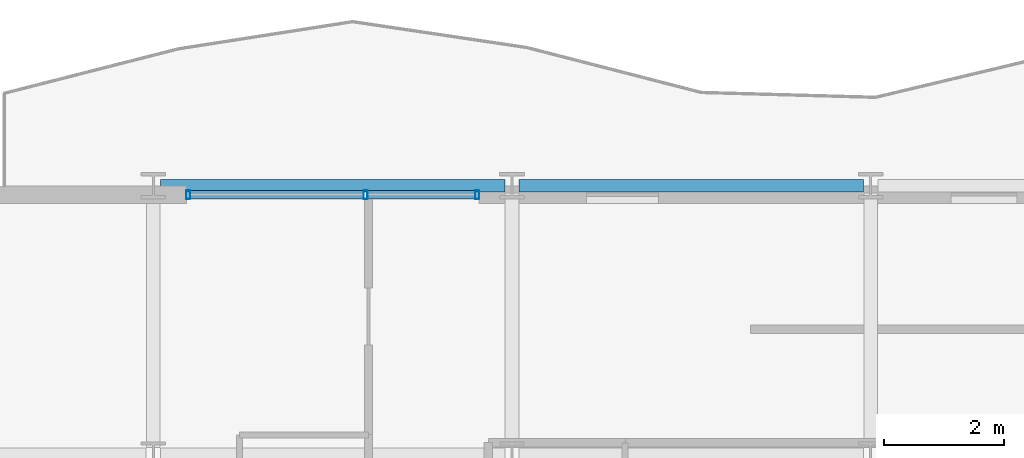
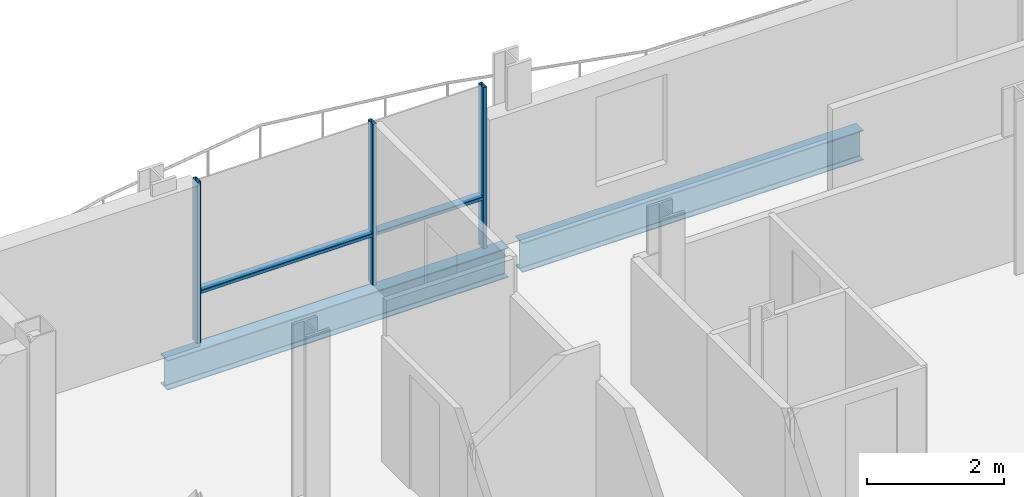
# One storey, part 21 of 40: 5 members, 2 beams, 1 element without a shape of its own.
"""IFC4 building model written with IfcOpenShell, lengths in metres."""

from ifc_helpers import new_model, si_unit, direction, frame, origin, origin_2d, place, context, subcontext, project, spatial, hollow_rectangle, i_section, extrude, material, layer, layer_set, material_profile, profile_set, type_object, element, aggregate, save


model = new_model("IFC4")

# Units and contexts
model_context = context("Model", 3, precision=1e-05, world=origin(), true_north=direction((0.0, 1.0)))
body_context = subcontext(model_context, "Body", "Model", "MODEL_VIEW")
ifc_project = project(units=[si_unit("LENGTHUNIT", "METRE"), si_unit("AREAUNIT", "SQUARE_METRE"), si_unit("VOLUMEUNIT", "CUBIC_METRE"), si_unit("PLANEANGLEUNIT", "RADIAN"), si_unit("MASSUNIT", "GRAM", prefix="KILO")], contexts=[model_context])

# Site, building, storey
site_placement = place(None, origin())
site = spatial("IfcSite", under=ifc_project, at=site_placement, CompositionType="ELEMENT")
building_placement = place(site_placement, origin())
building = spatial("IfcBuilding", under=site, at=building_placement, Name="Brevholm Reach", CompositionType="ELEMENT")
storey_placement = place(building_placement, frame((0.0, 0.0, 119.0)))
storey = spatial("IfcBuildingStorey", under=building, at=storey_placement, Name="L35", CompositionType="ELEMENT", Elevation=119.0)

# Beams
ifc_material_1 = material(Name="Structural Steel S355J2", Category="steel")
ifc_material_profile_1 = material_profile(ifc_material_1, i_section(OverallWidth=0.209228515625, OverallDepth=0.533203125, WebThickness=0.010009765625, FlangeThickness=0.015625, FilletRadius=0.0126953125, at=origin_2d()), Name="UKB 533x210x92")
ifc_profile_set_1 = profile_set([ifc_material_profile_1], Name="Structural Steel S355J2")
beam_type = type_object("IfcBeamType", Name="BM-SP533", PredefinedType="SPANDREL", material=ifc_profile_set_1)
for number, where, z_axis, x_axis, name in (
    (1, (6.1201171875, 31.0, -0.486572265625), (1.0, 0.0, 0.0), (0.0, 1.0, 0.0), "L35 SP-02 Framing Beam"),
    (2, (12.1201171875, 31.0, -0.486572265625), (1.0, 0.0, 0.0), (0.0, 1.0, 0.0), "L35 SP-02 Framing Beam"),
):
    element("IfcBeam", number, at=place(storey_placement, frame(where, z_axis=z_axis, x_axis=x_axis)), inside=storey, type_object=beam_type, Name=name, PredefinedType="SPANDREL", context=body_context, shape_type="SweptSolid", body=[
        extrude(i_section(OverallWidth=0.209228515625, OverallDepth=0.533203125, WebThickness=0.010009765625, FlangeThickness=0.015625, FilletRadius=0.0126953125, at=origin_2d()), origin(), (0.0, 0.0, 1.0), 5.759765625),
    ])

# Curtain wall, members
ifc_material_2 = material(Name="Dark Anodised Aluminium 6063-T6 and Solar-Control Glass", Category="aluminium")
ifc_layer = layer(ifc_material_2, 0.14990234375)
ifc_layer_set = layer_set([ifc_layer], Name="Dark Anodised Aluminium 6063-T6 and Solar-Control Glass")
curtain_wall_type = type_object("IfcCurtainWallType", Name="CW-01", PredefinedType="NOTDEFINED", material=ifc_layer_set)
curtain_wall_placement = place(storey_placement, origin())
curtain_wall = element("IfcCurtainWall", 3, at=curtain_wall_placement, inside=storey, type_object=curtain_wall_type, Name="L35 Curtain Wall CW-01", PredefinedType="NOTDEFINED")
ifc_material_3 = material(Name="Dark Anodised Aluminium 6063-T6", Category="aluminium")
ifc_material_profile_2 = material_profile(ifc_material_3, hollow_rectangle(XDim=0.06494140625, YDim=0.14990234375, WallThickness=0.0048828125, InnerFilletRadius=0.0048828125, OuterFilletRadius=0.010009765625, at=origin_2d()), Name="RHS 150x65x5")
ifc_profile_set_2 = profile_set([ifc_material_profile_2], Name="Dark Anodised Aluminium 6063-T6")
member_type_1 = type_object("IfcMemberType", Name="CWM-150", PredefinedType="MULLION", material=ifc_profile_set_2)
member_1_placement = place(storey_placement, frame((6.58251953125, 30.85009765625, 0.0), z_axis=(0.0, 0.0, 1.0), x_axis=(1.0, 0.0, 0.0)))
member_1 = element("IfcMember", 4, at=member_1_placement, type_object=member_type_1, Name="CM-150 Mullion 1", PredefinedType="MULLION", context=body_context, shape_type="SweptSolid", body=[
    extrude(hollow_rectangle(XDim=0.06494140625, YDim=0.14990234375, WallThickness=0.0048828125, InnerFilletRadius=0.0048828125, OuterFilletRadius=0.010009765625, at=origin_2d()), origin(), (0.0, 0.0, 1.0), 2.8798828125),
])
member_2_placement = place(storey_placement, frame((9.550048828125, 30.85009765625, 0.0), z_axis=(0.0, 0.0, 1.0), x_axis=(1.0, 0.0, 0.0)))
member_2 = element("IfcMember", 5, at=member_2_placement, type_object=member_type_1, Name="CM-150 Mullion 2", PredefinedType="MULLION", context=body_context, shape_type="SweptSolid", body=[
    extrude(hollow_rectangle(XDim=0.06494140625, YDim=0.14990234375, WallThickness=0.0048828125, InnerFilletRadius=0.0048828125, OuterFilletRadius=0.010009765625, at=origin_2d()), origin(), (0.0, 0.0, 1.0), 2.8798828125),
])
member_3_placement = place(storey_placement, frame((11.41748046875, 30.85009765625, 0.0), z_axis=(0.0, 0.0, 1.0), x_axis=(1.0, 0.0, 0.0)))
member_3 = element("IfcMember", 6, at=member_3_placement, type_object=member_type_1, Name="CM-150 Mullion 3", PredefinedType="MULLION", context=body_context, shape_type="SweptSolid", body=[
    extrude(hollow_rectangle(XDim=0.06494140625, YDim=0.14990234375, WallThickness=0.0048828125, InnerFilletRadius=0.0048828125, OuterFilletRadius=0.010009765625, at=origin_2d()), origin(), (0.0, 0.0, 1.0), 2.8798828125),
])
ifc_material_4 = material(Name="Dark Anodised Aluminium 6063-T6", Category="aluminium")
ifc_material_profile_3 = material_profile(ifc_material_4, hollow_rectangle(XDim=0.06494140625, YDim=0.14990234375, WallThickness=0.0048828125, InnerFilletRadius=0.0048828125, OuterFilletRadius=0.010009765625, at=origin_2d()), Name="RHS 150x65x5")
ifc_profile_set_3 = profile_set([ifc_material_profile_3], Name="Dark Anodised Aluminium 6063-T6")
member_type_2 = type_object("IfcMemberType", Name="CWT-150", PredefinedType="NOTDEFINED", material=ifc_profile_set_3)
member_4_placement = place(storey_placement, frame((6.614990234375, 30.85009765625, 0.89990234375), z_axis=(1.0, 0.0, 0.0), x_axis=(0.0, 0.0, 1.0)))
member_4 = element("IfcMember", 7, at=member_4_placement, type_object=member_type_2, Name="CT-150 Transom 1.1", ObjectType="TRANSOM", PredefinedType="USERDEFINED", context=body_context, shape_type="SweptSolid", body=[
    extrude(hollow_rectangle(XDim=0.06494140625, YDim=0.14990234375, WallThickness=0.0048828125, InnerFilletRadius=0.0048828125, OuterFilletRadius=0.010009765625, at=origin_2d()), origin(), (0.0, 0.0, 1.0), 2.902587890625),
])
member_5_placement = place(storey_placement, frame((9.58251953125, 30.85009765625, 0.89990234375), z_axis=(1.0, 0.0, 0.0), x_axis=(0.0, 0.0, 1.0)))
member_5 = element("IfcMember", 8, at=member_5_placement, type_object=member_type_2, Name="CT-150 Transom 2.1", ObjectType="TRANSOM", PredefinedType="USERDEFINED", context=body_context, shape_type="SweptSolid", body=[
    extrude(hollow_rectangle(XDim=0.06494140625, YDim=0.14990234375, WallThickness=0.0048828125, InnerFilletRadius=0.0048828125, OuterFilletRadius=0.010009765625, at=origin_2d()), origin(), (0.0, 0.0, 1.0), 1.802490234375),
])
aggregate(curtain_wall, [member_1, member_2, member_3, member_4, member_5])

save(model, "model.ifc")
